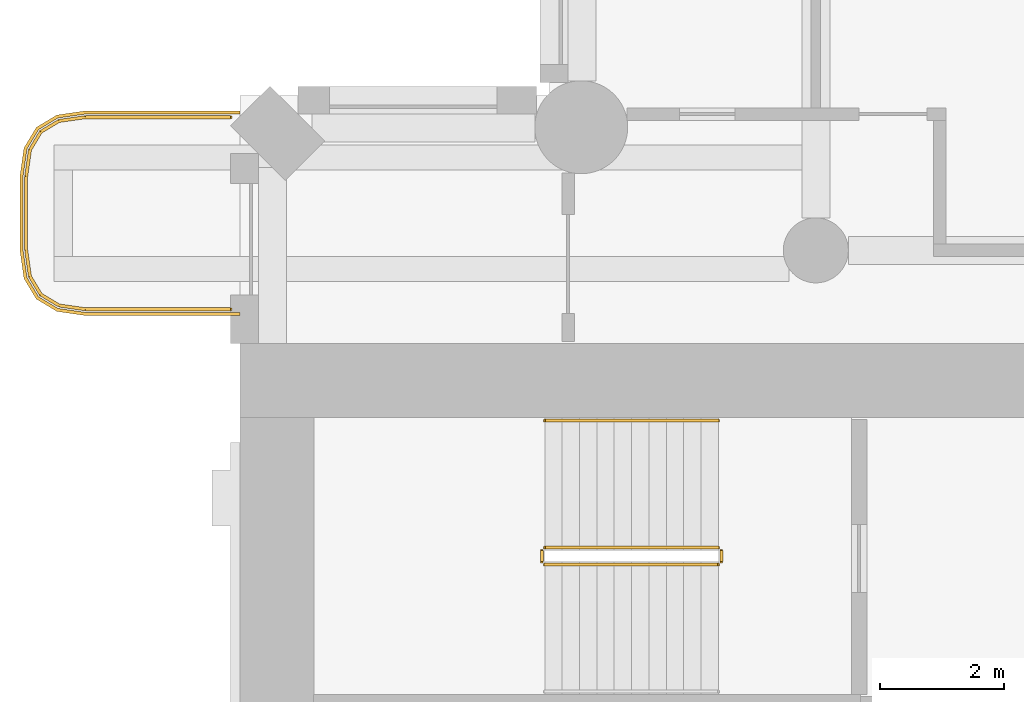
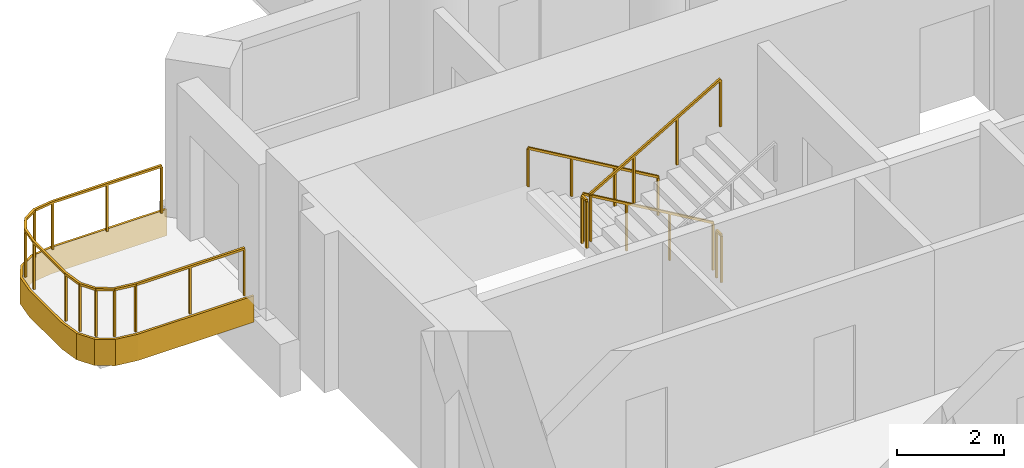
# One storey, part 17 of 20: 6 railings, 1 covering.
"""IFC4 building model written with IfcOpenShell, lengths in metres."""

from ifc_helpers import new_model, si_unit, direction, frame, origin, origin_2d, place, context, subcontext, project, spatial, polyline, rectangle, outline, extrude, material, layer, layer_set, type_object, element, save


model = new_model("IFC4")

# Units and contexts
model_context = context("Model", 3, precision=1e-05, world=origin(), true_north=direction((0.0, 1.0)))
body_context = subcontext(model_context, "Body", "Model", "MODEL_VIEW")
ifc_project = project(units=[si_unit("LENGTHUNIT", "METRE"), si_unit("AREAUNIT", "SQUARE_METRE"), si_unit("VOLUMEUNIT", "CUBIC_METRE"), si_unit("PLANEANGLEUNIT", "RADIAN"), si_unit("MASSUNIT", "GRAM", prefix="KILO")], contexts=[model_context])

# Site, building, storey
site_placement = place(None, origin())
site = spatial("IfcSite", under=ifc_project, at=site_placement, CompositionType="ELEMENT")
building_placement = place(site_placement, origin())
building = spatial("IfcBuilding", under=site, at=building_placement, Name="Cypress Arch Tower", CompositionType="ELEMENT")
storey_placement = place(building_placement, frame((0.0, 0.0, 131.10009765625)))
storey = spatial("IfcBuildingStorey", under=building, at=storey_placement, Name="L28", CompositionType="ELEMENT", Elevation=131.10009765625)

# Covering
ifc_material_1 = material(Name="White powder-coated aluminium fascia", Category="aluminium")
ifc_layer = layer(ifc_material_1, 0.050048828125)
ifc_layer_set = layer_set([ifc_layer], Name="Balcony fascia BF50")
covering_type = type_object("IfcCoveringType", Name="Balcony fascia BF50", PredefinedType="CLADDING", material=ifc_layer_set)
covering_placement = place(storey_placement, frame((0.0, 0.0, -0.60009765625)))
element("IfcCovering", 1, at=covering_placement, inside=storey, type_object=covering_type, Name="Balcony fascia L28-A00W0", PredefinedType="CLADDING", context=body_context, shape_type="SweptSolid", body=[
    extrude(outline(polyline([(-32.503662109375, 16.449951171875), (-32.95458984375, 16.514404296875), (-33.286376953125, 16.713623046875), (-33.485595703125, 17.04541015625), (-33.550048828125, 17.496337890625), (-33.550048828125, 18.70361328125), (-33.485595703125, 19.154541015625), (-33.286376953125, 19.486328125), (-32.95458984375, 19.685546875), (-32.503662109375, 19.75), (-30.0009765625, 19.75), (-30.0009765625, 19.699951171875), (-32.5, 19.699951171875), (-32.9375, 19.637451171875), (-33.25, 19.449951171875), (-33.4375, 19.137451171875), (-33.5, 18.699951171875), (-33.5, 17.5), (-33.4375, 17.0625), (-33.25, 16.75), (-32.9375, 16.5625), (-32.5, 16.5), (-30.0009765625, 16.5), (-30.0009765625, 16.449951171875), (-32.503662109375, 16.449951171875)])), origin(), (0.0, 0.0, 1.0), 0.60009765625),
])

# Railings
ifc_material_2 = material(Name="Powder-coated steel posts and rods, 100 mm clear between rods", Category="steel")
railing_type_1 = type_object("IfcRailingType", Name="Balcony guard GR1100", PredefinedType="GUARDRAIL", material=ifc_material_2)
railing_1_placement = place(storey_placement, frame((-30.14990234375, 16.550048828125, 0.0)))
element("IfcRailing", 2, at=railing_1_placement, inside=storey, type_object=railing_type_1, Name="Balcony guard L28-A00W0", PredefinedType="GUARDRAIL", context=body_context, shape_type="SweptSolid", body=[
    extrude(rectangle(XDim=0.050048828125, YDim=0.050048828125, at=origin_2d()), frame((0.0, 0.0, 1.0751953125), z_axis=(-1.0, 0.0, 0.0), x_axis=(0.0, -1.0, 0.0)), (0.0, 0.0, 1.0), 2.346435546875),
    extrude(rectangle(XDim=0.050048828125, YDim=0.050048828125, at=origin_2d()), frame((-2.346435546875, 0.0, 1.0751953125), z_axis=(-0.989960888959, 0.141341566184, 0.0), x_axis=(-0.141341566184, -0.989960888959, 0.0)), (0.0, 0.0, 1.0), 0.428466796875),
    extrude(rectangle(XDim=0.050048828125, YDim=0.050048828125, at=origin_2d()), frame((-2.7705078125, 0.060546875, 1.0751953125), z_axis=(-0.857681904839, 0.514180659021, 0.0), x_axis=(-0.514180659021, -0.857681904839, 0.0)), (0.0, 0.0, 1.0), 0.341796875),
    extrude(rectangle(XDim=0.050048828125, YDim=0.050048828125, at=origin_2d()), frame((-3.063720703125, 0.236328125, 1.0751953125), z_axis=(-0.514180659021, 0.857681904839, 0.0), x_axis=(-0.857681904839, -0.514180659021, 0.0)), (0.0, 0.0, 1.0), 0.341796875),
    extrude(rectangle(XDim=0.050048828125, YDim=0.050048828125, at=origin_2d()), frame((-3.239501953125, 0.529541015625, 1.0751953125), z_axis=(-0.141341566184, 0.989960888959, 0.0), x_axis=(-0.989960888959, -0.141341566184, 0.0)), (0.0, 0.0, 1.0), 0.428466796875),
    extrude(rectangle(XDim=0.050048828125, YDim=0.050048828125, at=origin_2d()), frame((-3.300048828125, 0.95361328125, 1.0751953125), z_axis=(0.0, 1.0, 0.0), x_axis=(-1.0, 0.0, 0.0)), (0.0, 0.0, 1.0), 1.19287109375),
    extrude(rectangle(XDim=0.050048828125, YDim=0.050048828125, at=origin_2d()), frame((-3.300048828125, 2.146484375, 1.0751953125), z_axis=(0.141421356237, 0.989949493661, 0.0), x_axis=(-0.989949493661, 0.141421356237, 0.0)), (0.0, 0.0, 1.0), 0.42822265625),
    extrude(rectangle(XDim=0.050048828125, YDim=0.050048828125, at=origin_2d()), frame((-3.239501953125, 2.5703125, 1.0751953125), z_axis=(0.514180659021, 0.857681904839, 0.0), x_axis=(-0.857681904839, 0.514180659021, 0.0)), (0.0, 0.0, 1.0), 0.341796875),
    extrude(rectangle(XDim=0.050048828125, YDim=0.050048828125, at=origin_2d()), frame((-3.063720703125, 2.863525390625, 1.0751953125), z_axis=(0.857681904839, 0.514180659021, 0.0), x_axis=(-0.514180659021, 0.857681904839, 0.0)), (0.0, 0.0, 1.0), 0.341796875),
    extrude(rectangle(XDim=0.050048828125, YDim=0.050048828125, at=origin_2d()), frame((-2.7705078125, 3.039306640625, 1.0751953125), z_axis=(0.989960888959, 0.141341566184, 0.0), x_axis=(-0.141341566184, 0.989960888959, 0.0)), (0.0, 0.0, 1.0), 0.428466796875),
    extrude(rectangle(XDim=0.050048828125, YDim=0.050048828125, at=origin_2d()), frame((-2.346435546875, 3.099853515625, 1.0751953125), z_axis=(1.0, 0.0, 0.0), x_axis=(0.0, 1.0, 0.0)), (0.0, 0.0, 1.0), 2.346435546875),
    extrude(rectangle(XDim=0.0400390625, YDim=0.0400390625, at=origin_2d()), origin(), (0.0, 0.0, 1.0), 1.050048828125),
    extrude(rectangle(XDim=0.0400390625, YDim=0.0400390625, at=origin_2d()), frame((-1.17333984375, 0.0, 0.0)), (0.0, 0.0, 1.0), 1.050048828125),
    extrude(rectangle(XDim=0.0400390625, YDim=0.0400390625, at=origin_2d()), frame((-2.346435546875, 0.0, 0.0)), (0.0, 0.0, 1.0), 1.050048828125),
    extrude(rectangle(XDim=0.0400390625, YDim=0.0400390625, at=origin_2d()), frame((-2.7705078125, 0.060546875, 0.0)), (0.0, 0.0, 1.0), 1.050048828125),
    extrude(rectangle(XDim=0.0400390625, YDim=0.0400390625, at=origin_2d()), frame((-3.063720703125, 0.236328125, 0.0)), (0.0, 0.0, 1.0), 1.050048828125),
    extrude(rectangle(XDim=0.0400390625, YDim=0.0400390625, at=origin_2d()), frame((-3.239501953125, 0.529541015625, 0.0)), (0.0, 0.0, 1.0), 1.050048828125),
    extrude(rectangle(XDim=0.0400390625, YDim=0.0400390625, at=origin_2d()), frame((-3.300048828125, 0.95361328125, 0.0)), (0.0, 0.0, 1.0), 1.050048828125),
    extrude(rectangle(XDim=0.0400390625, YDim=0.0400390625, at=origin_2d()), frame((-3.300048828125, 2.146484375, 0.0)), (0.0, 0.0, 1.0), 1.050048828125),
    extrude(rectangle(XDim=0.0400390625, YDim=0.0400390625, at=origin_2d()), frame((-3.239501953125, 2.5703125, 0.0)), (0.0, 0.0, 1.0), 1.050048828125),
    extrude(rectangle(XDim=0.0400390625, YDim=0.0400390625, at=origin_2d()), frame((-3.063720703125, 2.863525390625, 0.0)), (0.0, 0.0, 1.0), 1.050048828125),
    extrude(rectangle(XDim=0.0400390625, YDim=0.0400390625, at=origin_2d()), frame((-2.7705078125, 3.039306640625, 0.0)), (0.0, 0.0, 1.0), 1.050048828125),
    extrude(rectangle(XDim=0.0400390625, YDim=0.0400390625, at=origin_2d()), frame((-2.346435546875, 3.099853515625, 0.0)), (0.0, 0.0, 1.0), 1.050048828125),
    extrude(rectangle(XDim=0.0400390625, YDim=0.0400390625, at=origin_2d()), frame((-1.17333984375, 3.099853515625, 0.0)), (0.0, 0.0, 1.0), 1.050048828125),
    extrude(rectangle(XDim=0.0400390625, YDim=0.0400390625, at=origin_2d()), frame((0.0, 3.099853515625, 0.0)), (0.0, 0.0, 1.0), 1.050048828125),
])
ifc_material_3 = material(Name="Black powder-coated steel square bar 48 mm", Category="steel")
railing_type_2 = type_object("IfcRailingType", Name="Stair handrail HR1", PredefinedType="HANDRAIL", material=ifc_material_3)
railing_2_placement = place(storey_placement, frame((-22.27490234375, 14.75, 0.16357421875)))
element("IfcRailing", 3, at=railing_2_placement, inside=storey, type_object=railing_type_2, Name="L28 B stair handrail 1", PredefinedType="HANDRAIL", context=body_context, shape_type="SweptSolid", body=[
    extrude(rectangle(XDim=0.048095703125, YDim=0.048095703125, at=origin_2d()), frame((0.0, 0.0, 0.8759765625), z_axis=(-0.863393664356, 0.0, 0.504530851732), x_axis=(0.0, -1.0, 0.0)), (0.0, 0.0, 1.0), 3.2431640625),
    extrude(rectangle(XDim=0.0419921875, YDim=0.0419921875, at=origin_2d()), origin(), (0.0, 0.0, 1.0), 0.851806640625),
    extrude(rectangle(XDim=0.0419921875, YDim=0.0419921875, at=origin_2d()), frame((-0.933349609375, 0.0, 0.54541015625)), (0.0, 0.0, 1.0), 0.851806640625),
    extrude(rectangle(XDim=0.0419921875, YDim=0.0419921875, at=origin_2d()), frame((-1.86669921875, 0.0, 1.0908203125)), (0.0, 0.0, 1.0), 0.851806640625),
    extrude(rectangle(XDim=0.0419921875, YDim=0.0419921875, at=origin_2d()), frame((-2.800048828125, 0.0, 1.63623046875)), (0.0, 0.0, 1.0), 0.851806640625),
])
ifc_material_4 = material(Name="Black powder-coated steel balusters", Category="steel")
railing_type_3 = type_object("IfcRailingType", Name="Stair well guard G1", PredefinedType="GUARDRAIL", material=ifc_material_4)
railing_3_placement = place(storey_placement, frame((-22.27490234375, 12.699951171875, 0.16357421875)))
element("IfcRailing", 4, at=railing_3_placement, inside=storey, type_object=railing_type_3, Name="L28 B stair guard 1", PredefinedType="GUARDRAIL", context=body_context, shape_type="SweptSolid", body=[
    extrude(rectangle(XDim=0.048095703125, YDim=0.048095703125, at=origin_2d()), frame((0.0, 0.0, 1.076171875), z_axis=(-0.863393664356, 0.0, 0.504530851732), x_axis=(0.0, -1.0, 0.0)), (0.0, 0.0, 1.0), 3.2431640625),
    extrude(rectangle(XDim=0.0419921875, YDim=0.0419921875, at=origin_2d()), origin(), (0.0, 0.0, 1.0), 1.052001953125),
    extrude(rectangle(XDim=0.0419921875, YDim=0.0419921875, at=origin_2d()), frame((-0.933349609375, 0.0, 0.54541015625)), (0.0, 0.0, 1.0), 1.052001953125),
    extrude(rectangle(XDim=0.0419921875, YDim=0.0419921875, at=origin_2d()), frame((-1.86669921875, 0.0, 1.0908203125)), (0.0, 0.0, 1.0), 1.052001953125),
    extrude(rectangle(XDim=0.0419921875, YDim=0.0419921875, at=origin_2d()), frame((-2.800048828125, 0.0, 1.63623046875)), (0.0, 0.0, 1.0), 1.052001953125),
])
railing_4_placement = place(storey_placement, frame((-25.125, 12.64990234375, 1.7998046875)))
element("IfcRailing", 5, at=railing_4_placement, inside=storey, type_object=railing_type_3, Name="L28 B stair guard 2", PredefinedType="GUARDRAIL", context=body_context, shape_type="SweptSolid", body=[
    extrude(rectangle(XDim=0.048095703125, YDim=0.048095703125, at=origin_2d()), frame((0.0, 0.0, 1.076171875), z_axis=(0.0, -1.0, 0.0), x_axis=(1.0, 0.0, 0.0)), (0.0, 0.0, 1.0), 0.1748046875),
    extrude(rectangle(XDim=0.0419921875, YDim=0.0419921875, at=origin_2d()), origin(), (0.0, 0.0, 1.0), 1.052001953125),
    extrude(rectangle(XDim=0.0419921875, YDim=0.0419921875, at=origin_2d()), frame((0.0, -0.1748046875, 0.0)), (0.0, 0.0, 1.0), 1.052001953125),
])
railing_5_placement = place(storey_placement, frame((-25.074951171875, 12.425048828125, 1.963623046875)))
element("IfcRailing", 6, at=railing_5_placement, inside=storey, type_object=railing_type_3, Name="L28 B stair guard 3", PredefinedType="GUARDRAIL", context=body_context, shape_type="SweptSolid", body=[
    extrude(rectangle(XDim=0.048095703125, YDim=0.048095703125, at=origin_2d()), frame((0.0, 0.0, 1.076171875), z_axis=(0.863393664356, 0.0, 0.504530851732), x_axis=(0.0, 1.0, 0.0)), (0.0, 0.0, 1.0), 3.2431640625),
    extrude(rectangle(XDim=0.0419921875, YDim=0.0419921875, at=origin_2d()), origin(), (0.0, 0.0, 1.0), 1.052001953125),
    extrude(rectangle(XDim=0.0419921875, YDim=0.0419921875, at=origin_2d()), frame((0.933349609375, 0.0, 0.54541015625)), (0.0, 0.0, 1.0), 1.052001953125),
    extrude(rectangle(XDim=0.0419921875, YDim=0.0419921875, at=origin_2d()), frame((1.86669921875, 0.0, 1.0908203125)), (0.0, 0.0, 1.0), 1.052001953125),
    extrude(rectangle(XDim=0.0419921875, YDim=0.0419921875, at=origin_2d()), frame((2.800048828125, 0.0, 1.63623046875)), (0.0, 0.0, 1.0), 1.052001953125),
])
railing_6_placement = place(storey_placement, frame((-22.22509765625, 12.64990234375, 0.0)))
element("IfcRailing", 7, at=railing_6_placement, inside=storey, type_object=railing_type_3, Name="L28 B stair guard 4", PredefinedType="GUARDRAIL", context=body_context, shape_type="SweptSolid", body=[
    extrude(rectangle(XDim=0.048095703125, YDim=0.048095703125, at=origin_2d()), frame((0.0, 0.0, 1.076171875), z_axis=(0.0, -1.0, 0.0), x_axis=(1.0, 0.0, 0.0)), (0.0, 0.0, 1.0), 0.1748046875),
    extrude(rectangle(XDim=0.0419921875, YDim=0.0419921875, at=origin_2d()), origin(), (0.0, 0.0, 1.0), 1.052001953125),
    extrude(rectangle(XDim=0.0419921875, YDim=0.0419921875, at=origin_2d()), frame((0.0, -0.1748046875, 0.0)), (0.0, 0.0, 1.0), 1.052001953125),
])

save(model, "model.ifc")
